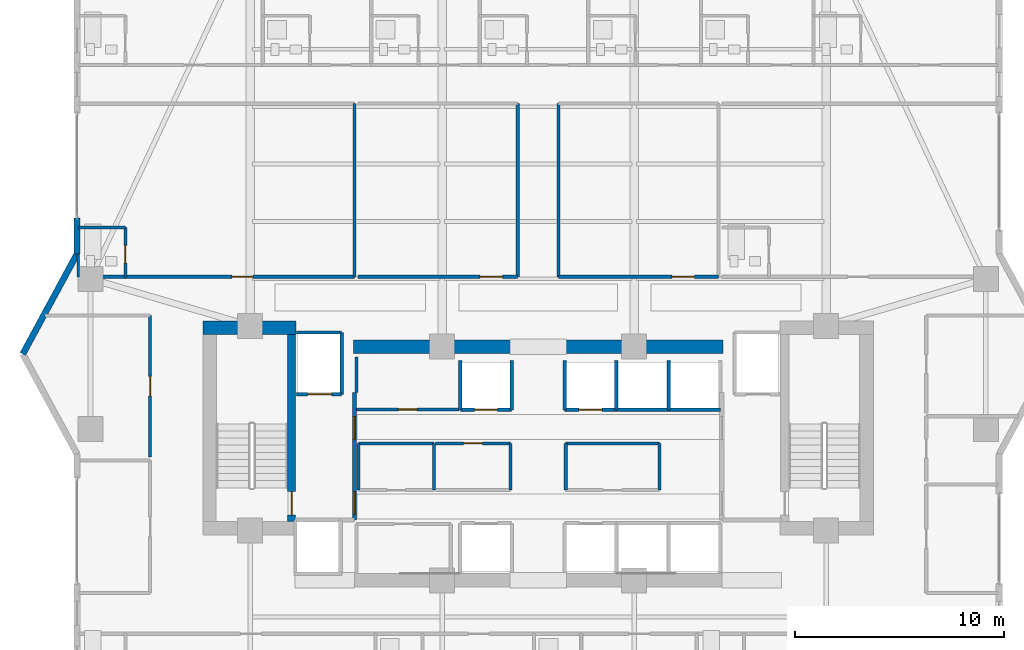
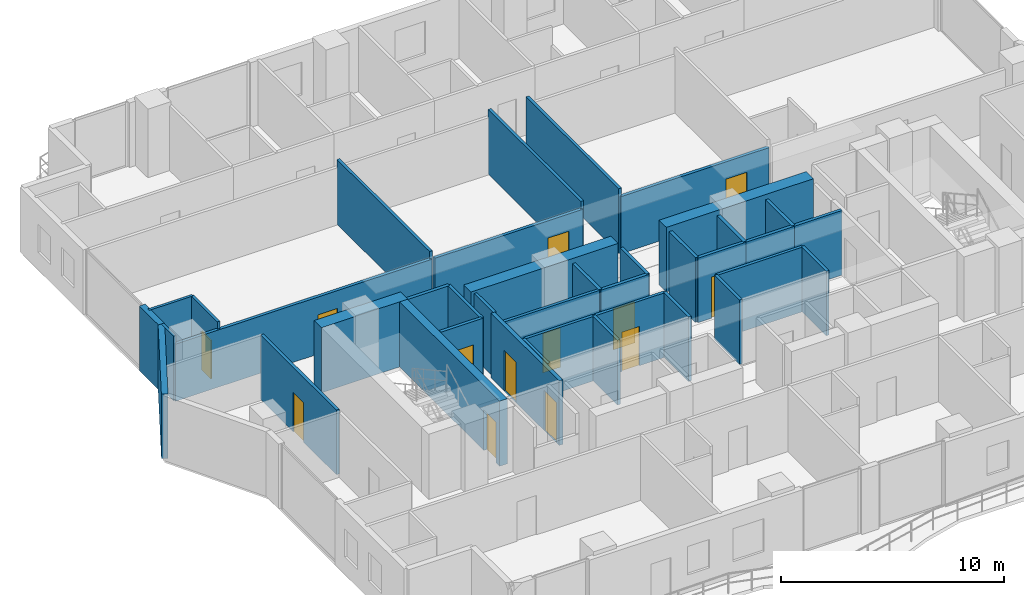
# One storey, part 25 of 32: 39 walls, 13 doors, 13 openings.
"""IFC4 building model written with IfcOpenShell, lengths in metres."""

from ifc_helpers import new_model, si_unit, direction, frame, frame_2d, origin, place, context, subcontext, project, spatial, rectangle, extrude, material, layer, layer_set, type_object, element, fill, save


model = new_model("IFC4")

# Units and contexts
model_context = context("Model", 3, precision=1e-05, world=origin(), true_north=direction((0.0, 1.0)))
body_context = subcontext(model_context, "Body", "Model", "MODEL_VIEW")
ifc_project = project(units=[si_unit("LENGTHUNIT", "METRE"), si_unit("AREAUNIT", "SQUARE_METRE"), si_unit("VOLUMEUNIT", "CUBIC_METRE"), si_unit("PLANEANGLEUNIT", "RADIAN"), si_unit("MASSUNIT", "GRAM", prefix="KILO")], contexts=[model_context])

# Site, building, storey
site_placement = place(None, origin())
site = spatial("IfcSite", under=ifc_project, at=site_placement, CompositionType="ELEMENT")
building_placement = place(site_placement, origin())
building = spatial("IfcBuilding", under=site, at=building_placement, Name="Zuhayl Quay Hotel", CompositionType="ELEMENT")
storey_placement = place(building_placement, frame((0.0, 0.0, 203.64990234375)))
storey = spatial("IfcBuildingStorey", under=building, at=storey_placement, Name="L51", CompositionType="ELEMENT", Elevation=203.64990234375)

# Walls
ifc_material_1 = material(Name="Concrete C50/60", Category="concrete")
ifc_layer_1 = layer(ifc_material_1, 0.64990234375, Name="Concrete C50/60", Category="concrete")
ifc_layer_set_1 = layer_set([ifc_layer_1], Name="Concrete C50/60")
wall_type_1 = type_object("IfcWallType", Name="WL_CORE_650", PredefinedType="SHEAR", material=ifc_layer_set_1)
wall_1_placement = place(storey_placement, frame((-16.06005859375, 14.2548828125, 0.0), z_axis=(0.0, 0.0, 1.0), x_axis=(1.0, 0.0, 0.0)))
element("IfcWall", 1, at=wall_1_placement, inside=storey, type_object=wall_type_1, Name="L51 Core Shear Wall CW_NW", PredefinedType="SHEAR", context=body_context, shape_type="SweptSolid", body=[
    extrude(rectangle(XDim=4.4599609375, YDim=0.64990234375, at=frame_2d((2.22998046875, 0.0))), origin(), (0.0, 0.0, 1.0), 3.56005859375),
])
for number, where, z_axis, x_axis, name in (
    (2, (-8.85009765625, 13.35009765625, 0.0), (0.0, 0.0, 1.0), (1.0, 0.0, 0.0), "L51 Core Shear Wall CW_NC_W"),
    (3, (1.25, 13.35009765625, 0.0), (0.0, 0.0, 1.0), (1.0, 0.0, 0.0), "L51 Core Shear Wall CW_NC_E"),
):
    element("IfcWall", number, at=place(storey_placement, frame(where, z_axis=z_axis, x_axis=x_axis)), inside=storey, type_object=wall_type_1, Name=name, PredefinedType="SHEAR", context=body_context, shape_type="SweptSolid", body=[
        extrude(rectangle(XDim=7.60009765625, YDim=0.64990234375, at=frame_2d((3.800048828125, 0.0))), origin(), (0.0, 0.0, 1.0), 3.530029296875),
    ])
ifc_material_2 = material(Name="Precast concrete C45/55", Category="concrete")
ifc_layer_2 = layer(ifc_material_2, 0.300048828125, Name="Precast concrete C45/55", Category="concrete")
ifc_layer_set_2 = layer_set([ifc_layer_2], Name="Precast concrete C45/55")
wall_type_2 = type_object("IfcWallType", Name="WL_EXT_300", PredefinedType="STANDARD", material=ifc_layer_set_2)
wall_2_placement = place(storey_placement, frame((-24.699951171875, 13.0, 0.0), z_axis=(0.0, 0.0, 1.0), x_axis=(0.476258655584, 0.879305233114, 0.0)))
element("IfcWall", 4, at=wall_2_placement, inside=storey, type_object=wall_type_2, Name="L51 Exterior Precast Wall ENV_L51_EW04", PredefinedType="STANDARD", context=body_context, shape_type="SweptSolid", body=[
    extrude(rectangle(XDim=5.458984375, YDim=0.300048828125, at=frame_2d((2.7294921875, 0.0))), origin(), (0.0, 0.0, 1.0), 3.530029296875),
])
wall_3_placement = place(storey_placement, frame((-22.10009765625, 17.800048828125, 0.0), z_axis=(0.0, 0.0, 1.0), x_axis=(0.0, 1.0, 0.0)))
element("IfcWall", 5, at=wall_3_placement, inside=storey, type_object=wall_type_2, Name="L51 Exterior Precast Wall ENV_L51_E05_EW1", PredefinedType="STANDARD", context=body_context, shape_type="SweptSolid", body=[
    extrude(rectangle(XDim=1.7099609375, YDim=0.300048828125, at=frame_2d((0.85498046875, 0.0))), origin(), (0.0, 0.0, 1.0), 3.530029296875),
])

# Wall, opening, door
ifc_material_3 = material(Name="Acoustic Gypsum Partition STC-58")
ifc_layer_3 = layer(ifc_material_3, 0.14990234375, Name="Acoustic Gypsum Partition STC-58")
ifc_layer_set_3 = layer_set([ifc_layer_3], Name="Acoustic Gypsum Partition STC-58")
wall_type_3 = type_object("IfcWallType", Name="WL_PART_150", PredefinedType="PARTITIONING", material=ifc_layer_set_3)
wall_4_placement = place(storey_placement, frame((-8.7099609375, 10.340087890625, 0.0), z_axis=(0.0, 0.0, 1.0), x_axis=(1.0, 0.0, 0.0)))
wall_4 = element("IfcWall", 6, at=wall_4_placement, inside=storey, type_object=wall_type_3, Name="L51 Partition IW_L51_FLP_N_S", PredefinedType="PARTITIONING", context=body_context, shape_type="SweptSolid", body=[
    extrude(rectangle(XDim=4.919921875, YDim=0.14990234375, at=frame_2d((2.4599609375, 0.0))), origin(), (0.0, 0.0, 1.0), 3.530029296875),
])
opening_1_placement = place(wall_4_placement, frame((2.010009765625, 0.0, 0.0)))
opening_1 = element("IfcOpeningElement", 7, at=opening_1_placement, cuts=wall_4, Name="Opening D06", PredefinedType="OPENING", context=body_context, shape_type="SweptSolid", body=[
    extrude(rectangle(XDim=0.89990234375, YDim=2.14990234375, at=frame_2d((0.449951171875, 1.074951171875))), frame((0.0, 0.0849609375, 0.0), z_axis=(0.0, -1.0, 0.0), x_axis=(1.0, 0.0, 0.0)), (0.0, 0.0, 1.0), 0.169921875),
])
ifc_material_4 = material(Name="Steel ASTM A992 Grade 50", Category="steel")
door_type_1 = type_object("IfcDoorType", Name="DR_INT_900", OperationType="NOTDEFINED", PredefinedType="DOOR", material=ifc_material_4)
door_1_placement = place(opening_1_placement, origin())
door_1 = element("IfcDoor", 8, at=door_1_placement, inside=storey, type_object=door_type_1, Name="L51 Sky-Zone Valet Store Door", OperationType="SINGLE_SWING_LEFT", OverallHeight=2.14990234375, OverallWidth=0.89990234375, PredefinedType="DOOR", context=body_context, shape_type="SweptSolid", body=[
    extrude(rectangle(XDim=0.89990234375, YDim=2.14990234375, at=frame_2d((0.449951171875, 1.074951171875))), frame((0.0, 0.02490234375, 0.0), z_axis=(0.0, -1.0, 0.0), x_axis=(1.0, 0.0, 0.0)), (0.0, 0.0, 1.0), 0.050048828125),
])
fill(opening_1, door_1)

wall_5_placement = place(storey_placement, frame((-4.929931640625, 8.719970703125, 0.0), z_axis=(0.0, 0.0, 1.0), x_axis=(1.0, 0.0, 0.0)))
wall_5 = element("IfcWall", 9, at=wall_5_placement, inside=storey, type_object=wall_type_3, Name="L51 Partition IW_L51_CORE_BM_N", PredefinedType="PARTITIONING", context=body_context, shape_type="SweptSolid", body=[
    extrude(rectangle(XDim=3.60986328125, YDim=0.14990234375, at=frame_2d((1.804931640625, 0.0))), origin(), (0.0, 0.0, 1.0), 3.530029296875),
])
opening_2_placement = place(wall_5_placement, frame((1.35498046875, 0.0, 0.0)))
opening_2 = element("IfcOpeningElement", 10, at=opening_2_placement, cuts=wall_5, Name="Opening D06", PredefinedType="OPENING", context=body_context, shape_type="SweptSolid", body=[
    extrude(rectangle(XDim=0.89990234375, YDim=2.14990234375, at=frame_2d((0.449951171875, 1.074951171875))), frame((0.0, 0.0849609375, 0.0), z_axis=(0.0, -1.0, 0.0), x_axis=(1.0, 0.0, 0.0)), (0.0, 0.0, 1.0), 0.169921875),
])
door_2_placement = place(opening_2_placement, origin())
door_2 = element("IfcDoor", 11, at=door_2_placement, inside=storey, type_object=door_type_1, Name="L51 Telecom and BMS Closet Door", OperationType="SINGLE_SWING_LEFT", OverallHeight=2.14990234375, OverallWidth=0.89990234375, PredefinedType="DOOR", context=body_context, shape_type="SweptSolid", body=[
    extrude(rectangle(XDim=0.89990234375, YDim=2.14990234375, at=frame_2d((0.449951171875, 1.074951171875))), frame((0.0, 0.02490234375, 0.0), z_axis=(0.0, -1.0, 0.0), x_axis=(1.0, 0.0, 0.0)), (0.0, 0.0, 1.0), 0.050048828125),
])
fill(opening_2, door_2)

# Walls
wall_6_placement = place(storey_placement, frame((-8.7099609375, 11.14990234375, 0.0), z_axis=(0.0, 0.0, 1.0), x_axis=(0.0, 1.0, 0.0)))
element("IfcWall", 12, at=wall_6_placement, inside=storey, type_object=wall_type_3, Name="L51 Partition IW_L51_FLP_N_W", PredefinedType="PARTITIONING", context=body_context, shape_type="SweptSolid", body=[
    extrude(rectangle(XDim=1.710205078125, YDim=0.14990234375, at=frame_2d((0.85498046875, 0.0))), origin(), (0.0, 0.0, 1.0), 3.530029296875),
])
wall_7_placement = place(storey_placement, frame((-8.610107421875, 8.719970703125, 0.0), z_axis=(0.0, 0.0, 1.0), x_axis=(1.0, 0.0, 0.0)))
element("IfcWall", 13, at=wall_7_placement, inside=storey, type_object=wall_type_3, Name="L51 Partition IW_L51_CORE_SW_N", PredefinedType="PARTITIONING", context=body_context, shape_type="SweptSolid", body=[
    extrude(rectangle(XDim=3.6201171875, YDim=0.14990234375, at=frame_2d((1.81005859375, 0.0))), origin(), (0.0, 0.0, 1.0), 3.530029296875),
])
for number, where, z_axis, x_axis, name in (
    (14, (-8.610107421875, 6.47998046875, 0.0), (0.0, 0.0, 1.0), (0.0, 1.0, 0.0), "L51 Partition IW_L51_CORE_SW_W"),
    (15, (-4.989990234375, 6.47998046875, 0.0), (0.0, 0.0, 1.0), (0.0, 1.0, 0.0), "L51 Partition IW_L51_CORE_SW_E"),
    (16, (-1.320068359375, 6.47998046875, 0.0), (0.0, 0.0, 1.0), (0.0, 1.0, 0.0), "L51 Partition IW_L51_CORE_BM_E"),
):
    element("IfcWall", number, at=place(storey_placement, frame(where, z_axis=z_axis, x_axis=x_axis)), inside=storey, type_object=wall_type_3, Name=name, PredefinedType="PARTITIONING", context=body_context, shape_type="SweptSolid", body=[
        extrude(rectangle(XDim=2.239990234375, YDim=0.14990234375, at=frame_2d((1.1201171875, 0.0))), origin(), (0.0, 0.0, 1.0), 3.530029296875),
    ])
wall_8_placement = place(storey_placement, frame((1.320068359375, 8.719970703125, 0.0), z_axis=(0.0, 0.0, 1.0), x_axis=(1.0, 0.0, 0.0)))
element("IfcWall", 17, at=wall_8_placement, inside=storey, type_object=wall_type_3, Name="L51 Partition IW_L51_CORE_PN_N", PredefinedType="PARTITIONING", context=body_context, shape_type="SweptSolid", body=[
    extrude(rectangle(XDim=4.489990234375, YDim=0.14990234375, at=frame_2d((2.2451171875, 0.0))), origin(), (0.0, 0.0, 1.0), 3.530029296875),
])
for number, where, z_axis, x_axis, name in (
    (18, (1.320068359375, 6.47998046875, 0.0), (0.0, 0.0, 1.0), (0.0, 1.0, 0.0), "L51 Partition IW_L51_CORE_PN_W"),
    (19, (5.81005859375, 6.47998046875, 0.0), (0.0, 0.0, 1.0), (0.0, 1.0, 0.0), "L51 Partition IW_L51_CORE_PN_E"),
):
    element("IfcWall", number, at=place(storey_placement, frame(where, z_axis=z_axis, x_axis=x_axis)), inside=storey, type_object=wall_type_3, Name=name, PredefinedType="PARTITIONING", context=body_context, shape_type="SweptSolid", body=[
        extrude(rectangle(XDim=2.239990234375, YDim=0.14990234375, at=frame_2d((1.1201171875, 0.0))), origin(), (0.0, 0.0, 1.0), 3.530029296875),
    ])
for number, where, z_axis, x_axis, name in (
    (20, (-8.800048828125, 16.699951171875, 0.0), (0.0, 0.0, 1.0), (0.0, 1.0, 0.0), "L51 Partition IW_L51_MU01_E"),
    (21, (-0.97998046875, 16.699951171875, 0.0), (0.0, 0.0, 1.0), (0.0, 1.0, 0.0), "L51 Partition IW_L51_Z3_MID_W_E"),
    (22, (0.97998046875, 16.699951171875, 0.0), (0.0, 0.0, 1.0), (0.0, 1.0, 0.0), "L51 Partition IW_L51_Z3_MID_E_W"),
):
    element("IfcWall", number, at=place(storey_placement, frame(where, z_axis=z_axis, x_axis=x_axis)), inside=storey, type_object=wall_type_3, Name=name, PredefinedType="PARTITIONING", context=body_context, shape_type="SweptSolid", body=[
        extrude(rectangle(XDim=8.300048828125, YDim=0.14990234375, at=frame_2d((4.14990234375, 0.0))), origin(), (0.0, 0.0, 1.0), 3.530029296875),
    ])

# Wall, opening, door
ifc_layer_4 = layer(ifc_material_3, 0.159912109375, Name="Acoustic Gypsum Partition STC-58")
ifc_layer_set_4 = layer_set([ifc_layer_4], Name="Acoustic Gypsum Partition STC-58")
wall_type_4 = type_object("IfcWallType", Name="WL_PART_CORR_160", PredefinedType="PARTITIONING", material=ifc_layer_set_4)
wall_9_placement = place(storey_placement, frame((-22.0400390625, 16.699951171875, 0.0), z_axis=(0.0, 0.0, 1.0), x_axis=(1.0, 0.0, 0.0)))
wall_9 = element("IfcWall", 23, at=wall_9_placement, inside=storey, type_object=wall_type_4, Name="L51 Partition IW_L51_MU01_COR", PredefinedType="PARTITIONING", context=body_context, shape_type="SweptSolid", body=[
    extrude(rectangle(XDim=13.239990234375, YDim=0.159912109375, at=frame_2d((6.6201171875, 0.0))), origin(), (0.0, 0.0, 1.0), 3.1240234375),
])
opening_3_placement = place(wall_9_placement, frame((7.364990234375, 0.0, 0.0)))
opening_3 = element("IfcOpeningElement", 24, at=opening_3_placement, cuts=wall_9, Name="Opening D03L", PredefinedType="OPENING", context=body_context, shape_type="SweptSolid", body=[
    extrude(rectangle(XDim=1.0, YDim=2.14990234375, at=frame_2d((0.5, 1.074951171875))), frame((0.0, 0.08984375, 0.0), z_axis=(0.0, -1.0, 0.0), x_axis=(1.0, 0.0, 0.0)), (0.0, 0.0, 1.0), 0.179931640625),
])
ifc_material_5 = material(Name="Solid Walnut Acoustic Fire Door")
door_type_2 = type_object("IfcDoorType", Name="DR_SUITE_1000", OperationType="NOTDEFINED", PredefinedType="DOOR", material=ifc_material_5)
door_3_placement = place(opening_3_placement, origin())
door_3 = element("IfcDoor", 25, at=door_3_placement, inside=storey, type_object=door_type_2, Name="L51 Club Junior Suite L51-M1 Entrance Door", OperationType="SINGLE_SWING_RIGHT", OverallHeight=2.14990234375, OverallWidth=1.0, PredefinedType="DOOR", context=body_context, shape_type="SweptSolid", body=[
    extrude(rectangle(XDim=1.0, YDim=2.14990234375, at=frame_2d((0.5, 1.074951171875))), frame((0.0, 0.02490234375, 0.0), z_axis=(0.0, -1.0, 0.0), x_axis=(1.0, 0.0, 0.0)), (0.0, 0.0, 1.0), 0.050048828125),
])
fill(opening_3, door_3)

wall_10_placement = place(storey_placement, frame((-8.639892578125, 16.699951171875, 0.0), z_axis=(0.0, 0.0, 1.0), x_axis=(1.0, 0.0, 0.0)))
wall_10 = element("IfcWall", 26, at=wall_10_placement, inside=storey, type_object=wall_type_4, Name="L51 Partition IW_L51_Z3_MID_W_S", PredefinedType="PARTITIONING", context=body_context, shape_type="SweptSolid", body=[
    extrude(rectangle(XDim=7.659912109375, YDim=0.159912109375, at=frame_2d((3.830078125, 0.0))), origin(), (0.0, 0.0, 1.0), 3.1240234375),
])
opening_4_placement = place(wall_10_placement, frame((5.85009765625, 0.0, 0.0)))
opening_4 = element("IfcOpeningElement", 27, at=opening_4_placement, cuts=wall_10, Name="Opening D05A", PredefinedType="OPENING", context=body_context, shape_type="SweptSolid", body=[
    extrude(rectangle(XDim=1.080078125, YDim=2.179931640625, at=frame_2d((0.5400390625, 1.08984375))), frame((0.0, 0.08984375, 0.0), z_axis=(0.0, -1.0, 0.0), x_axis=(1.0, 0.0, 0.0)), (0.0, 0.0, 1.0), 0.179931640625),
])
door_type_3 = type_object("IfcDoorType", Name="DR_INT_1100", OperationType="NOTDEFINED", PredefinedType="DOOR", material=ifc_material_5)
door_4_placement = place(opening_4_placement, origin())
door_4 = element("IfcDoor", 28, at=door_4_placement, inside=storey, type_object=door_type_3, Name="L51 Botanical Tasting Room Door", OperationType="SINGLE_SWING_LEFT", OverallHeight=2.179931640625, OverallWidth=1.080078125, PredefinedType="DOOR", context=body_context, shape_type="SweptSolid", body=[
    extrude(rectangle(XDim=1.080078125, YDim=2.179931640625, at=frame_2d((0.5400390625, 1.08984375))), frame((0.0, 0.02490234375, 0.0), z_axis=(0.0, -1.0, 0.0), x_axis=(1.0, 0.0, 0.0)), (0.0, 0.0, 1.0), 0.050048828125),
])
fill(opening_4, door_4)

wall_11_placement = place(storey_placement, frame((0.97998046875, 16.699951171875, 0.0), z_axis=(0.0, 0.0, 1.0), x_axis=(1.0, 0.0, 0.0)))
wall_11 = element("IfcWall", 29, at=wall_11_placement, inside=storey, type_object=wall_type_4, Name="L51 Partition IW_L51_Z3_MID_E_S", PredefinedType="PARTITIONING", context=body_context, shape_type="SweptSolid", body=[
    extrude(rectangle(XDim=7.659912109375, YDim=0.159912109375, at=frame_2d((3.830078125, 0.0))), origin(), (0.0, 0.0, 1.0), 3.1240234375),
])
opening_5_placement = place(wall_11_placement, frame((5.429931640625, 0.0, 0.0)))
opening_5 = element("IfcOpeningElement", 30, at=opening_5_placement, cuts=wall_11, Name="Opening D05A", PredefinedType="OPENING", context=body_context, shape_type="SweptSolid", body=[
    extrude(rectangle(XDim=1.080078125, YDim=2.179931640625, at=frame_2d((0.5400390625, 1.08984375))), frame((0.0, 0.08984375, 0.0), z_axis=(0.0, -1.0, 0.0), x_axis=(1.0, 0.0, 0.0)), (0.0, 0.0, 1.0), 0.179931640625),
])
door_5_placement = place(opening_5_placement, origin())
door_5 = element("IfcDoor", 31, at=door_5_placement, inside=storey, type_object=door_type_3, Name="L51 Horizon Screening Salon Door", OperationType="SINGLE_SWING_RIGHT", OverallHeight=2.179931640625, OverallWidth=1.080078125, PredefinedType="DOOR", context=body_context, shape_type="SweptSolid", body=[
    extrude(rectangle(XDim=1.080078125, YDim=2.179931640625, at=frame_2d((0.5400390625, 1.08984375))), frame((0.0, 0.02490234375, 0.0), z_axis=(0.0, -1.0, 0.0), x_axis=(1.0, 0.0, 0.0)), (0.0, 0.0, 1.0), 0.050048828125),
])
fill(opening_5, door_5)

wall_12_placement = place(storey_placement, frame((-18.60009765625, 8.06005859375, 0.0), z_axis=(0.0, 0.0, 1.0), x_axis=(0.0, 1.0, 0.0)))
wall_12 = element("IfcWall", 32, at=wall_12_placement, inside=storey, type_object=wall_type_4, Name="L51 Partition IW_L51_WPROW_2_E", PredefinedType="PARTITIONING", context=body_context, shape_type="SweptSolid", body=[
    extrude(rectangle(XDim=6.7900390625, YDim=0.159912109375, at=frame_2d((3.39501953125, 0.0))), origin(), (0.0, 0.0, 1.0), 3.530029296875),
])
opening_6_placement = place(wall_12_placement, frame((2.919921875, 0.0, 0.0)))
opening_6 = element("IfcOpeningElement", 33, at=opening_6_placement, cuts=wall_12, Name="Opening D03", PredefinedType="OPENING", context=body_context, shape_type="SweptSolid", body=[
    extrude(rectangle(XDim=0.949951171875, YDim=2.14990234375, at=frame_2d((0.47509765625, 1.074951171875))), frame((0.0, 0.08984375, 0.0), z_axis=(0.0, -1.0, 0.0), x_axis=(1.0, 0.0, 0.0)), (0.0, 0.0, 1.0), 0.179931640625),
])
door_type_4 = type_object("IfcDoorType", Name="DR_SUITE_950", OperationType="NOTDEFINED", PredefinedType="DOOR", material=ifc_material_5)
door_6_placement = place(opening_6_placement, origin())
door_6 = element("IfcDoor", 34, at=door_6_placement, inside=storey, type_object=door_type_4, Name="L51 Sunset Lounge L51 Door", OperationType="SINGLE_SWING_LEFT", OverallHeight=2.14990234375, OverallWidth=0.949951171875, PredefinedType="DOOR", context=body_context, shape_type="SweptSolid", body=[
    extrude(rectangle(XDim=0.949951171875, YDim=2.14990234375, at=frame_2d((0.47509765625, 1.074951171875))), frame((0.0, 0.02490234375, 0.0), z_axis=(0.0, -1.0, 0.0), x_axis=(1.0, 0.0, 0.0)), (0.0, 0.0, 1.0), 0.050048828125),
])
fill(opening_6, door_6)

ifc_material_6 = material(Name="Moisture-Resistant Sanitarychase Gypsum")
ifc_layer_5 = layer(ifc_material_6, 0.135009765625, Name="Moisture-Resistant Sanitarychase Gypsum")
ifc_layer_set_5 = layer_set([ifc_layer_5], Name="Moisture-Resistant Sanitarychase Gypsum")
wall_type_5 = type_object("IfcWallType", Name="WL_PART_PLUMB_150", PredefinedType="PLUMBINGWALL", material=ifc_layer_set_5)
wall_13_placement = place(storey_placement, frame((-19.780029296875, 16.699951171875, 0.0), z_axis=(0.0, 0.0, 1.0), x_axis=(0.0, 1.0, 0.0)))
wall_13 = element("IfcWall", 35, at=wall_13_placement, inside=storey, type_object=wall_type_5, Name="L51 Partition IW_L51_MU01_BE", PredefinedType="PLUMBINGWALL", context=body_context, shape_type="SweptSolid", body=[
    extrude(rectangle(XDim=2.360107421875, YDim=0.135009765625, at=frame_2d((1.18017578125, 0.0))), origin(), (0.0, 0.0, 1.0), 3.530029296875),
])
opening_7_placement = place(wall_13_placement, frame((0.64990234375, 0.0, 0.0)))
opening_7 = element("IfcOpeningElement", 36, at=opening_7_placement, cuts=wall_13, Name="Opening D04", PredefinedType="OPENING", context=body_context, shape_type="SweptSolid", body=[
    extrude(rectangle(XDim=0.85009765625, YDim=2.10009765625, at=frame_2d((0.425048828125, 1.050048828125))), frame((0.0, 0.077392578125, 0.0), z_axis=(0.0, -1.0, 0.0), x_axis=(1.0, 0.0, 0.0)), (0.0, 0.0, 1.0), 0.155029296875),
])
ifc_material_7 = material(Name="Moisture-Resistant Walnut Veneer")
door_type_5 = type_object("IfcDoorType", Name="DR_BATH_850", OperationType="NOTDEFINED", PredefinedType="DOOR", material=ifc_material_7)
door_7_placement = place(opening_7_placement, origin())
door_7 = element("IfcDoor", 37, at=door_7_placement, inside=storey, type_object=door_type_5, Name="L51 Club Junior Suite L51-M1 En-Suite Door", OperationType="SINGLE_SWING_LEFT", OverallHeight=2.10009765625, OverallWidth=0.85009765625, PredefinedType="DOOR", context=body_context, shape_type="SweptSolid", body=[
    extrude(rectangle(XDim=0.85009765625, YDim=2.10009765625, at=frame_2d((0.425048828125, 1.050048828125))), frame((0.0, 0.02490234375, 0.0), z_axis=(0.0, -1.0, 0.0), x_axis=(1.0, 0.0, 0.0)), (0.0, 0.0, 1.0), 0.050048828125),
])
fill(opening_7, door_7)

# Walls
wall_14_placement = place(storey_placement, frame((-22.0400390625, 19.06005859375, 0.0), z_axis=(0.0, 0.0, 1.0), x_axis=(1.0, 0.0, 0.0)))
element("IfcWall", 38, at=wall_14_placement, inside=storey, type_object=wall_type_5, Name="L51 Partition IW_L51_MU01_BN", PredefinedType="PLUMBINGWALL", context=body_context, shape_type="SweptSolid", body=[
    extrude(rectangle(XDim=2.260009765625, YDim=0.135009765625, at=frame_2d((1.1298828125, 0.0))), origin(), (0.0, 0.0, 1.0), 3.530029296875),
])
wall_15_placement = place(storey_placement, frame((-22.0400390625, 16.699951171875, 0.0), z_axis=(0.0, 0.0, 1.0), x_axis=(0.0, 1.0, 0.0)))
element("IfcWall", 39, at=wall_15_placement, inside=storey, type_object=wall_type_5, Name="L51 Partition IW_L51_MU01_BW", PredefinedType="PLUMBINGWALL", context=body_context, shape_type="SweptSolid", body=[
    extrude(rectangle(XDim=1.10009765625, YDim=0.135009765625, at=frame_2d((0.550048828125, 0.0))), origin(), (0.0, 0.0, 1.0), 3.530029296875),
])

# Wall, opening, door
ifc_material_8 = material(Name="Gypsum Fireboard Assembly EI-90")
ifc_layer_6 = layer(ifc_material_8, 0.1650390625, Name="Gypsum Fireboard Assembly EI-90")
ifc_layer_set_6 = layer_set([ifc_layer_6], Name="Gypsum Fireboard Assembly EI-90")
wall_type_6 = type_object("IfcWallType", Name="WL_PART_SHAFT_160", PredefinedType="PARTITIONING", material=ifc_layer_set_6)
wall_16_placement = place(storey_placement, frame((-11.580078125, 11.070068359375, 0.0), z_axis=(0.0, 0.0, 1.0), x_axis=(1.0, 0.0, 0.0)))
wall_16 = element("IfcWall", 40, at=wall_16_placement, inside=storey, type_object=wall_type_6, Name="L51 Partition IW_L51_SH_FL1_F", PredefinedType="PARTITIONING", context=body_context, shape_type="SweptSolid", body=[
    extrude(rectangle(XDim=2.16015625, YDim=0.1650390625, at=frame_2d((1.080078125, 0.0))), origin(), (0.0, 0.0, 1.0), 3.530029296875),
])
opening_8_placement = place(wall_16_placement, frame((0.530029296875, 0.0, 0.0)))
opening_8 = element("IfcOpeningElement", 41, at=opening_8_placement, cuts=wall_16, Name="Opening LD2", PredefinedType="OPENING", context=body_context, shape_type="SweptSolid", body=[
    extrude(rectangle(XDim=1.14990234375, YDim=2.25, at=frame_2d((0.574951171875, 1.125))), frame((0.0, 0.092529296875, 0.0), z_axis=(0.0, -1.0, 0.0), x_axis=(1.0, 0.0, 0.0)), (0.0, 0.0, 1.0), 0.18505859375),
])
ifc_material_9 = material(Name="Brushed Stainless Steel", Category="steel")
door_type_6 = type_object("IfcDoorType", Name="DR_LIFT_FF_1100", OperationType="SLIDING_TO_LEFT", PredefinedType="DOOR", material=ifc_material_9)
door_8_placement = place(opening_8_placement, origin())
door_8 = element("IfcDoor", 42, at=door_8_placement, inside=storey, type_object=door_type_6, Name="L51 Lift FL1 Sliding Landing Door", OperationType="SLIDING_TO_LEFT", OverallHeight=2.25, OverallWidth=1.14990234375, PredefinedType="DOOR", context=body_context, shape_type="SweptSolid", body=[
    extrude(rectangle(XDim=1.14990234375, YDim=2.25, at=frame_2d((0.574951171875, 1.125))), frame((0.0, 0.02490234375, 0.0), z_axis=(0.0, -1.0, 0.0), x_axis=(1.0, 0.0, 0.0)), (0.0, 0.0, 1.0), 0.050048828125),
])
fill(opening_8, door_8)

wall_17_placement = place(storey_placement, frame((-3.72998046875, 10.320068359375, 0.0), z_axis=(0.0, 0.0, 1.0), x_axis=(1.0, 0.0, 0.0)))
wall_17 = element("IfcWall", 43, at=wall_17_placement, inside=storey, type_object=wall_type_6, Name="L51 Partition IW_L51_SH_MP3_F", PredefinedType="PARTITIONING", context=body_context, shape_type="SweptSolid", body=[
    extrude(rectangle(XDim=2.4599609375, YDim=0.1650390625, at=frame_2d((1.22998046875, 0.0))), origin(), (0.0, 0.0, 1.0), 3.530029296875),
])
opening_9_placement = place(wall_17_placement, frame((0.679931640625, 0.0, 0.0)))
opening_9 = element("IfcOpeningElement", 44, at=opening_9_placement, cuts=wall_17, Name="Opening LD1", PredefinedType="OPENING", context=body_context, shape_type="SweptSolid", body=[
    extrude(rectangle(XDim=1.10009765625, YDim=2.25, at=frame_2d((0.550048828125, 1.125))), frame((0.0, 0.092529296875, 0.0), z_axis=(0.0, -1.0, 0.0), x_axis=(1.0, 0.0, 0.0)), (0.0, 0.0, 1.0), 0.18505859375),
])
door_type_7 = type_object("IfcDoorType", Name="DR_LIFT_PASS_1100", OperationType="SLIDING_TO_LEFT", PredefinedType="DOOR", material=ifc_material_9)
door_9_placement = place(opening_9_placement, origin())
door_9 = element("IfcDoor", 45, at=door_9_placement, inside=storey, type_object=door_type_7, Name="L51 Lift MP3 Sliding Landing Door", OperationType="SLIDING_TO_LEFT", OverallHeight=2.25, OverallWidth=1.10009765625, PredefinedType="DOOR", context=body_context, shape_type="SweptSolid", body=[
    extrude(rectangle(XDim=1.10009765625, YDim=2.25, at=frame_2d((0.550048828125, 1.125))), frame((0.0, 0.02490234375, 0.0), z_axis=(0.0, -1.0, 0.0), x_axis=(1.0, 0.0, 0.0)), (0.0, 0.0, 1.0), 0.050048828125),
])
fill(opening_9, door_9)

wall_18_placement = place(storey_placement, frame((1.27001953125, 10.320068359375, 0.0), z_axis=(0.0, 0.0, 1.0), x_axis=(1.0, 0.0, 0.0)))
wall_18 = element("IfcWall", 46, at=wall_18_placement, inside=storey, type_object=wall_type_6, Name="L51 Partition IW_L51_SH_MP4_F", PredefinedType="PARTITIONING", context=body_context, shape_type="SweptSolid", body=[
    extrude(rectangle(XDim=2.47998046875, YDim=0.1650390625, at=frame_2d((1.239990234375, 0.0))), origin(), (0.0, 0.0, 1.0), 3.530029296875),
])
opening_10_placement = place(wall_18_placement, frame((0.68994140625, 0.0, 0.0)))
opening_10 = element("IfcOpeningElement", 47, at=opening_10_placement, cuts=wall_18, Name="Opening LD1", PredefinedType="OPENING", context=body_context, shape_type="SweptSolid", body=[
    extrude(rectangle(XDim=1.10009765625, YDim=2.25, at=frame_2d((0.550048828125, 1.125))), frame((0.0, 0.092529296875, 0.0), z_axis=(0.0, -1.0, 0.0), x_axis=(1.0, 0.0, 0.0)), (0.0, 0.0, 1.0), 0.18505859375),
])
door_10_placement = place(opening_10_placement, origin())
door_10 = element("IfcDoor", 48, at=door_10_placement, inside=storey, type_object=door_type_7, Name="L51 Lift MP4 Sliding Landing Door", OperationType="SLIDING_TO_LEFT", OverallHeight=2.25, OverallWidth=1.10009765625, PredefinedType="DOOR", context=body_context, shape_type="SweptSolid", body=[
    extrude(rectangle(XDim=1.10009765625, YDim=2.25, at=frame_2d((0.550048828125, 1.125))), frame((0.0, 0.02490234375, 0.0), z_axis=(0.0, -1.0, 0.0), x_axis=(1.0, 0.0, 0.0)), (0.0, 0.0, 1.0), 0.050048828125),
])
fill(opening_10, door_10)

# Walls
wall_19_placement = place(storey_placement, frame((-9.419921875, 11.070068359375, 0.0), z_axis=(0.0, 0.0, 1.0), x_axis=(0.0, 1.0, 0.0)))
element("IfcWall", 49, at=wall_19_placement, inside=storey, type_object=wall_type_6, Name="L51 Partition IW_L51_SH_FL1_E", PredefinedType="PARTITIONING", context=body_context, shape_type="SweptSolid", body=[
    extrude(rectangle(XDim=2.9599609375, YDim=0.1650390625, at=frame_2d((1.47998046875, 0.0))), origin(), (0.0, 0.0, 1.0), 3.530029296875),
])
wall_20_placement = place(storey_placement, frame((-11.580078125, 14.030029296875, 0.0), z_axis=(0.0, 0.0, 1.0), x_axis=(1.0, 0.0, 0.0)))
element("IfcWall", 50, at=wall_20_placement, inside=storey, type_object=wall_type_6, Name="L51 Partition IW_L51_SH_FL1_B", PredefinedType="PARTITIONING", context=body_context, shape_type="SweptSolid", body=[
    extrude(rectangle(XDim=2.16015625, YDim=0.1650390625, at=frame_2d((1.080078125, 0.0))), origin(), (0.0, 0.0, 1.0), 3.530029296875),
])
for number, where, z_axis, x_axis, name in (
    (51, (-3.72998046875, 10.320068359375, 0.0), (0.0, 0.0, 1.0), (0.0, 1.0, 0.0), "L51 Partition IW_L51_SH_MP3_W"),
    (52, (-1.27001953125, 10.320068359375, 0.0), (0.0, 0.0, 1.0), (0.0, 1.0, 0.0), "L51 Partition IW_L51_SH_MP3_E"),
    (53, (1.27001953125, 10.320068359375, 0.0), (0.0, 0.0, 1.0), (0.0, 1.0, 0.0), "L51 Partition IW_L51_SH_MP4_W"),
    (54, (3.75, 10.320068359375, 0.0), (0.0, 0.0, 1.0), (0.0, 1.0, 0.0), "L51 Partition IW_L51_SH_MP4_E"),
):
    element("IfcWall", number, at=place(storey_placement, frame(where, z_axis=z_axis, x_axis=x_axis)), inside=storey, type_object=wall_type_6, Name=name, PredefinedType="PARTITIONING", context=body_context, shape_type="SweptSolid", body=[
        extrude(rectangle(XDim=2.35986328125, YDim=0.1650390625, at=frame_2d((1.179931640625, 0.0))), origin(), (0.0, 0.0, 1.0), 3.530029296875),
    ])
wall_21_placement = place(storey_placement, frame((3.75, 10.320068359375, 0.0), z_axis=(0.0, 0.0, 1.0), x_axis=(1.0, 0.0, 0.0)))
element("IfcWall", 55, at=wall_21_placement, inside=storey, type_object=wall_type_6, Name="L51 Partition IW_L51_SH_HP3_F", PredefinedType="PARTITIONING", context=body_context, shape_type="SweptSolid", body=[
    extrude(rectangle(XDim=2.5, YDim=0.1650390625, at=frame_2d((1.25, 0.0))), origin(), (0.0, 0.0, 1.0), 3.530029296875),
])
wall_22_placement = place(storey_placement, frame((6.25, 10.320068359375, 0.0), z_axis=(0.0, 0.0, 1.0), x_axis=(0.0, 1.0, 0.0)))
element("IfcWall", 56, at=wall_22_placement, inside=storey, type_object=wall_type_6, Name="L51 Partition IW_L51_SH_HP3_E", PredefinedType="PARTITIONING", context=body_context, shape_type="SweptSolid", body=[
    extrude(rectangle(XDim=2.35986328125, YDim=0.1650390625, at=frame_2d((1.179931640625, 0.0))), origin(), (0.0, 0.0, 1.0), 3.530029296875),
])
wall_23_placement = place(storey_placement, frame((6.25, 10.320068359375, 0.0), z_axis=(0.0, 0.0, 1.0), x_axis=(1.0, 0.0, 0.0)))
element("IfcWall", 57, at=wall_23_placement, inside=storey, type_object=wall_type_6, Name="L51 Partition IW_L51_SH_HP4_F", PredefinedType="PARTITIONING", context=body_context, shape_type="SweptSolid", body=[
    extrude(rectangle(XDim=2.47998046875, YDim=0.1650390625, at=frame_2d((1.239990234375, 0.0))), origin(), (0.0, 0.0, 1.0), 3.530029296875),
])

# Wall, openings, doors
ifc_material_10 = material(Name="Gypsum Fireboard Assembly EI-120")
ifc_layer_7 = layer(ifc_material_10, 0.199951171875, Name="Gypsum Fireboard Assembly EI-120")
ifc_layer_set_7 = layer_set([ifc_layer_7], Name="Gypsum Fireboard Assembly EI-120")
wall_type_7 = type_object("IfcWallType", Name="WL_PART_SHAFT_200", PredefinedType="PARTITIONING", material=ifc_layer_set_7)
wall_24_placement = place(storey_placement, frame((-8.800048828125, 5.050048828125, 0.0), z_axis=(0.0, 0.0, 1.0), x_axis=(0.0, 1.0, 0.0)))
wall_24 = element("IfcWall", 58, at=wall_24_placement, inside=storey, type_object=wall_type_7, Name="L51 Partition IW_L51_FSAE_W_E", PredefinedType="PARTITIONING", context=body_context, shape_type="SweptSolid", body=[
    extrude(rectangle(XDim=6.099853515625, YDim=0.199951171875, at=frame_2d((3.0498046875, 0.0))), origin(), (0.0, 0.0, 1.0), 3.530029296875),
])
opening_11_placement = place(wall_24_placement, frame((0.25, 0.0, 0.0)))
opening_11 = element("IfcOpeningElement", 59, at=opening_11_placement, cuts=wall_24, Name="Opening D02", PredefinedType="OPENING", context=body_context, shape_type="SweptSolid", body=[
    extrude(rectangle(XDim=1.10009765625, YDim=2.199951171875, at=frame_2d((0.550048828125, 1.10009765625))), frame((0.0, 0.10986328125, 0.0), z_axis=(0.0, -1.0, 0.0), x_axis=(1.0, 0.0, 0.0)), (0.0, 0.0, 1.0), 0.219970703125),
])
opening_12_placement = place(wall_24_placement, frame((3.85009765625, 0.0, 0.0)))
opening_12 = element("IfcOpeningElement", 60, at=opening_12_placement, cuts=wall_24, Name="Opening D02", PredefinedType="OPENING", context=body_context, shape_type="SweptSolid", body=[
    extrude(rectangle(XDim=1.10009765625, YDim=2.199951171875, at=frame_2d((0.550048828125, 1.10009765625))), frame((0.0, 0.10986328125, 0.0), z_axis=(0.0, -1.0, 0.0), x_axis=(1.0, 0.0, 0.0)), (0.0, 0.0, 1.0), 0.219970703125),
])
door_type_8 = type_object("IfcDoorType", Name="DR_FIRE_90_1100", OperationType="NOTDEFINED", PredefinedType="DOOR", material=ifc_material_4)
door_11_placement = place(opening_11_placement, origin())
door_11 = element("IfcDoor", 61, at=door_11_placement, inside=storey, type_object=door_type_8, Name="L51 FSAE Lobby West South Entry Door", OperationType="SINGLE_SWING_RIGHT", OverallHeight=2.199951171875, OverallWidth=1.10009765625, PredefinedType="DOOR", context=body_context, shape_type="SweptSolid", body=[
    extrude(rectangle(XDim=1.10009765625, YDim=2.199951171875, at=frame_2d((0.550048828125, 1.10009765625))), frame((0.0, 0.02490234375, 0.0), z_axis=(0.0, -1.0, 0.0), x_axis=(1.0, 0.0, 0.0)), (0.0, 0.0, 1.0), 0.050048828125),
])
fill(opening_11, door_11)
door_12_placement = place(opening_12_placement, origin())
door_12 = element("IfcDoor", 62, at=door_12_placement, inside=storey, type_object=door_type_8, Name="L51 FSAE Lobby West North Entry Door", OperationType="SINGLE_SWING_LEFT", OverallHeight=2.199951171875, OverallWidth=1.10009765625, PredefinedType="DOOR", context=body_context, shape_type="SweptSolid", body=[
    extrude(rectangle(XDim=1.10009765625, YDim=2.199951171875, at=frame_2d((0.550048828125, 1.10009765625))), frame((0.0, 0.02490234375, 0.0), z_axis=(0.0, -1.0, 0.0), x_axis=(1.0, 0.0, 0.0)), (0.0, 0.0, 1.0), 0.050048828125),
])
fill(opening_12, door_12)

# Wall, opening, door
ifc_material_11 = material(Name="Concrete C60/75", Category="concrete")
ifc_layer_8 = layer(ifc_material_11, 0.39990234375, Name="Concrete C60/75", Category="concrete")
ifc_layer_set_8 = layer_set([ifc_layer_8], Name="Concrete C60/75")
wall_type_8 = type_object("IfcWallType", Name="WL_STAIR_400", PredefinedType="SHEAR", material=ifc_layer_set_8)
wall_25_placement = place(storey_placement, frame((-11.820068359375, 4.969970703125, 0.0), z_axis=(0.0, 0.0, 1.0), x_axis=(0.0, 1.0, 0.0)))
wall_25 = element("IfcWall", 63, at=wall_25_placement, inside=storey, type_object=wall_type_8, Name="L51 Core Shear Wall SW_ST1", PredefinedType="SHEAR", context=body_context, shape_type="SweptSolid", body=[
    extrude(rectangle(XDim=8.9599609375, YDim=0.39990234375, at=frame_2d((4.47998046875, 0.0))), origin(), (0.0, 0.0, 1.0), 3.56005859375),
])
opening_13_placement = place(wall_25_placement, frame((0.31005859375, 0.0, 0.0)))
opening_13 = element("IfcOpeningElement", 64, at=opening_13_placement, cuts=wall_25, Name="Opening D01", PredefinedType="OPENING", context=body_context, shape_type="SweptSolid", body=[
    extrude(rectangle(XDim=1.1201171875, YDim=2.219970703125, at=frame_2d((0.56005859375, 1.10986328125))), frame((0.0, 0.2099609375, 0.0), z_axis=(0.0, -1.0, 0.0), x_axis=(1.0, 0.0, 0.0)), (0.0, 0.0, 1.0), 0.419921875),
])
door_type_9 = type_object("IfcDoorType", Name="DR_STAIR_90_1100", OperationType="NOTDEFINED", PredefinedType="DOOR", material=ifc_material_4)
door_13_placement = place(opening_13_placement, origin())
door_13 = element("IfcDoor", 65, at=door_13_placement, inside=storey, type_object=door_type_9, Name="L51 Smokeproof Exit Stair ST1 Door", OperationType="SINGLE_SWING_LEFT", OverallHeight=2.219970703125, OverallWidth=1.1201171875, PredefinedType="DOOR", context=body_context, shape_type="SweptSolid", body=[
    extrude(rectangle(XDim=1.1201171875, YDim=2.219970703125, at=frame_2d((0.56005859375, 1.10986328125))), frame((0.0, 0.02490234375, 0.0), z_axis=(0.0, -1.0, 0.0), x_axis=(1.0, 0.0, 0.0)), (0.0, 0.0, 1.0), 0.050048828125),
])
fill(opening_13, door_13)

save(model, "model.ifc")
